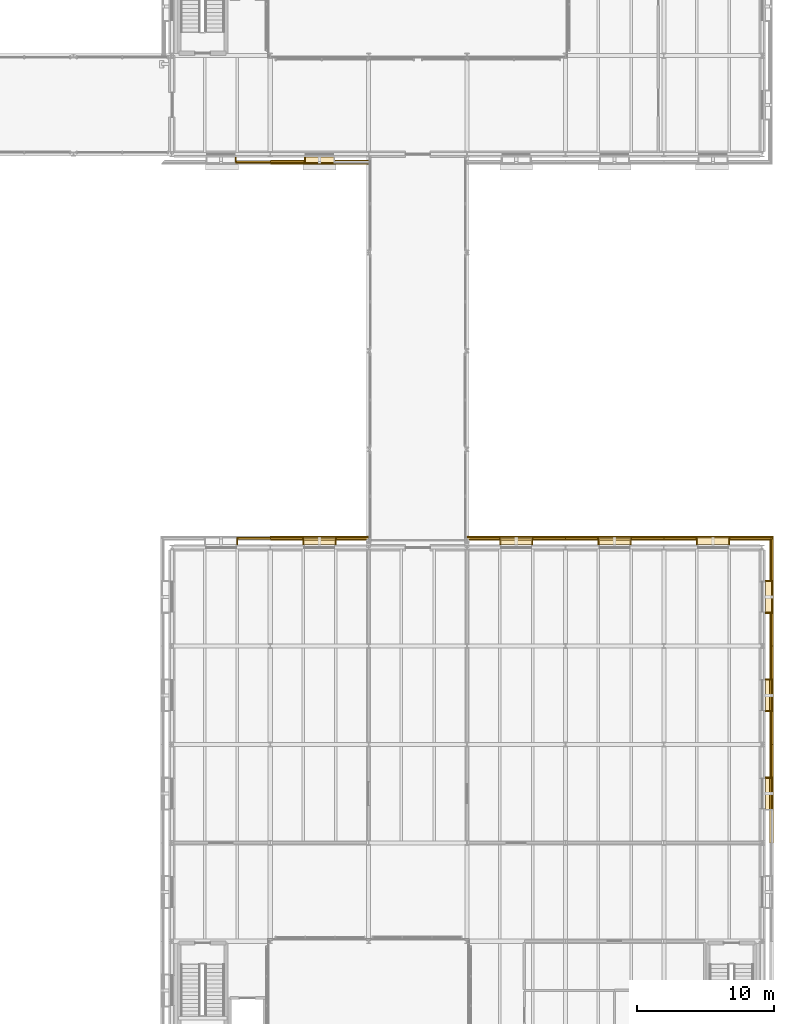
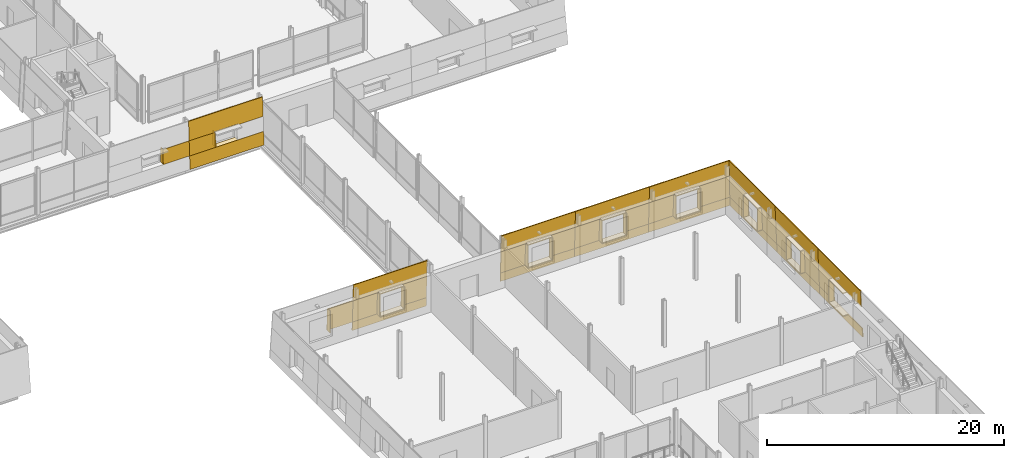
# One storey, part 118 of 121: 64 coverings.
"""IFC4 building model written with IfcOpenShell, lengths in metres."""

import ifcopenshell
import ifcopenshell.guid

model = None  # the IFC model being written
_history = None  # IfcOwnerHistory: only IFC2X3 demands one
_inside = {}  # id of a spatial element -> (the spatial element, [elements in it])
_under = {}  # id of a project, library or spatial element -> (it, [spatial elements below it])
_declared = {}  # id of a project -> (the project, [libraries it declares])
_typed = {}  # id of a type object -> (the type object, [elements of that type])
_made_of = {}  # id of a material, layer set ... -> (it, [elements and type objects made of it])


def new_model(schema):
    """Start an empty IFC model of exactly this schema.

    Asked for "IFC4X3", IfcOpenShell would pick the latest addendum, in which some entities
    have other attributes; the version numbers below select the first issue.
    IFC2X3 requires an IfcOwnerHistory on every rooted entity: one is made here for all.
    """
    global model, _history
    if schema == "IFC4X3":
        model = ifcopenshell.file(schema_version=(4, 3, 0, 0))
    else:
        model = ifcopenshell.file(schema=schema)
    _inside.clear()
    _under.clear()
    _declared.clear()
    _typed.clear()
    _made_of.clear()
    _history = None
    if model.schema == "IFC2X3":
        org = make("IfcOrganization", Name="unknown")
        user = make(
            "IfcPersonAndOrganization",
            ThePerson=make("IfcPerson", FamilyName="unknown"),
            TheOrganization=org,
        )
        app = make(
            "IfcApplication",
            ApplicationDeveloper=org,
            Version="unknown",
            ApplicationFullName="unknown",
            ApplicationIdentifier="unknown",
        )
        _history = make(
            "IfcOwnerHistory",
            OwningUser=user,
            OwningApplication=app,
            ChangeAction="ADDED",
            CreationDate=0,
        )
    return model


def make(cls, **values):
    """One entity of the class cls with the attributes given. An attribute that is None is left unset."""
    return model.create_entity(
        cls, **{name: value for name, value in values.items() if value is not None}
    )


def rooted(cls, **values):
    """An entity with a GlobalId (a new one), such as an element, a storey or a relation."""
    return make(cls, GlobalId=ifcopenshell.guid.new(), OwnerHistory=_history, **values)


def si_unit(unit_type, name, prefix=None):
    """IfcSIUnit, for example si_unit("LENGTHUNIT", "METRE", prefix="MILLI")."""
    return make("IfcSIUnit", UnitType=unit_type, Prefix=prefix, Name=name)


def assignment(units):
    """IfcUnitAssignment: the units of a project."""
    return None if units is None else make("IfcUnitAssignment", Units=units)


def point(xyz):
    """IfcCartesianPoint."""
    return None if xyz is None else make("IfcCartesianPoint", Coordinates=xyz)


def direction(xyz):
    """IfcDirection."""
    return None if xyz is None else make("IfcDirection", DirectionRatios=xyz)


def frame(location, z_axis=None, x_axis=None):
    """IfcAxis2Placement3D, a coordinate frame: its origin and axes. An axis left out is left unset."""
    return make(
        "IfcAxis2Placement3D",
        Location=point(location),
        Axis=direction(z_axis),
        RefDirection=direction(x_axis),
    )


def origin():
    """The frame at (0, 0, 0) with its axes left unset."""
    return frame((0.0, 0.0, 0.0))


def place(relative_to, where):
    """IfcLocalPlacement: puts the frame where relative to a parent placement (None: the world)."""
    return make(
        "IfcLocalPlacement", PlacementRelTo=relative_to, RelativePlacement=where
    )


def context(
    kind, dimensions, precision=None, world=None, true_north=None, identifier=None
):
    """IfcGeometricRepresentationContext, for example the 3D "Model" context."""
    return make(
        "IfcGeometricRepresentationContext",
        ContextIdentifier=identifier,
        ContextType=kind,
        CoordinateSpaceDimension=dimensions,
        Precision=precision,
        WorldCoordinateSystem=world,
        TrueNorth=true_north,
    )


def subcontext(parent, identifier, kind, view, scale=None):
    """IfcGeometricRepresentationSubContext, for example "Body" below "Model"."""
    return make(
        "IfcGeometricRepresentationSubContext",
        ContextIdentifier=identifier,
        ContextType=kind,
        ParentContext=parent,
        TargetScale=scale,
        TargetView=view,
    )


def project(units=None, contexts=None):
    """IfcProject with its units and contexts."""
    return rooted(
        "IfcProject",
        Name="project",
        RepresentationContexts=contexts,
        UnitsInContext=assignment(units),
    )


def spatial(cls, under=None, at=None, **own):
    """A site, building, storey or space (cls), placed at a placement, below another one or the project."""
    s = rooted(cls, ObjectPlacement=at, **own)
    if under is not None:
        _under.setdefault(under.id(), (under, []))[1].append(s)
    return s


def polyline(points):
    """IfcPolyline through the points."""
    return make("IfcPolyline", Points=[point(p) for p in points])


def outline(outer, holes=None, kind="AREA"):
    """IfcArbitraryClosedProfileDef: a profile drawn as a closed curve; with holes, ...WithVoids."""
    if holes is None:
        return make("IfcArbitraryClosedProfileDef", ProfileType=kind, OuterCurve=outer)
    return make(
        "IfcArbitraryProfileDefWithVoids",
        ProfileType=kind,
        OuterCurve=outer,
        InnerCurves=holes,
    )


def extrude(swept, where, along, depth):
    """IfcExtrudedAreaSolid: the profile swept, set in the frame where, extruded along a direction by depth."""
    return make(
        "IfcExtrudedAreaSolid",
        SweptArea=swept,
        Position=where,
        ExtrudedDirection=direction(along),
        Depth=depth,
    )


def shape(context_of_items, identifier, shape_type, items):
    """IfcShapeRepresentation: the items that make up one representation, for example the "Body"."""
    return make(
        "IfcShapeRepresentation",
        ContextOfItems=context_of_items,
        RepresentationIdentifier=identifier,
        RepresentationType=shape_type,
        Items=items,
    )


def material(Name=None, Category=None):
    """IfcMaterial."""
    return make("IfcMaterial", Name=Name, Category=Category)


def layer(
    of_material, thickness, ventilated=None, Name=None, Category=None, Priority=None
):
    """IfcMaterialLayer: one layer of a wall or slab, of a material (None: an air gap)."""
    return make(
        "IfcMaterialLayer",
        Material=of_material,
        LayerThickness=thickness,
        IsVentilated=ventilated,
        Name=Name,
        Category=Category,
        Priority=Priority,
    )


def layer_set(layers, Name=None):
    """IfcMaterialLayerSet."""
    return make("IfcMaterialLayerSet", MaterialLayers=layers, LayerSetName=Name)


def made_of(thing, what):
    """Note that an element or type object is made of a material, layer set ...; save() writes the relation."""
    if what is not None:
        _made_of.setdefault(what.id(), (what, []))[1].append(thing)
    return thing


def type_object(cls, material=None, **own):
    """A type object (cls), such as IfcWallType, which elements share."""
    return made_of(rooted(cls, **own), material)


def element(
    cls,
    number,
    at=None,
    inside=None,
    cuts=None,
    type_object=None,
    material=None,
    context=None,
    identifier="Body",
    shape_type=None,
    held_by="IfcProductDefinitionShape",
    body=None,
    shapes=None,
    **own,
):
    """One element of the class cls, such as IfcWall. Its Tag is "e" and its number.

    at: its placement. inside: the storey or other place that contains it. cuts: it is an
    opening in that element (IfcRelVoidsElement). A single representation is given by context,
    identifier, shape_type and body (its items); several are given by shapes. held_by: the class
    of the entity that holds the representations. save() writes the other relations.
    """
    e = rooted(cls, Tag="e%d" % number, ObjectPlacement=at, **own)
    if body is not None:
        shapes = [shape(context, identifier, shape_type, body)]
    if shapes is not None:
        e.Representation = make(held_by, Representations=shapes)
    if inside is not None:
        _inside.setdefault(inside.id(), (inside, []))[1].append(e)
    if cuts is not None:
        rooted(
            "IfcRelVoidsElement", RelatingBuildingElement=cuts, RelatedOpeningElement=e
        )
    if type_object is not None:
        _typed.setdefault(type_object.id(), (type_object, []))[1].append(e)
    return made_of(e, material)


def aggregate(whole, parts):
    """IfcRelAggregates: a whole, such as a stair, and the parts it consists of."""
    return rooted("IfcRelAggregates", RelatingObject=whole, RelatedObjects=parts)


def save(model, path):
    """Write the relations noted so far, then the file.

    IfcRelAggregates (storeys below a building ...), IfcRelContainedInSpatialStructure (elements
    in a storey), IfcRelDefinesByType, IfcRelAssociatesMaterial and IfcRelDeclares: one each for
    every whole, place, type object, material and project.
    """
    for whole, parts in _under.values():
        aggregate(whole, parts)
    for where, things in _inside.values():
        rooted(
            "IfcRelContainedInSpatialStructure",
            RelatedElements=things,
            RelatingStructure=where,
        )
    for kind, things in _typed.values():
        rooted("IfcRelDefinesByType", RelatedObjects=things, RelatingType=kind)
    for what, things in _made_of.values():
        rooted("IfcRelAssociatesMaterial", RelatedObjects=things, RelatingMaterial=what)
    for by, libraries in _declared.values():
        rooted("IfcRelDeclares", RelatingContext=by, RelatedDefinitions=libraries)
    model.write(path)


model = new_model("IFC4")

# Units and contexts
model_context = context("Model", 3, precision=1e-05, world=origin(), true_north=direction((0.0, 1.0)))
body_context = subcontext(model_context, "Body", "Model", "MODEL_VIEW")
ifc_project = project(units=[si_unit("LENGTHUNIT", "METRE"), si_unit("AREAUNIT", "SQUARE_METRE"), si_unit("VOLUMEUNIT", "CUBIC_METRE"), si_unit("PLANEANGLEUNIT", "RADIAN"), si_unit("MASSUNIT", "GRAM", prefix="KILO")], contexts=[model_context])

# Site, building, storey
site_placement = place(None, origin())
site = spatial("IfcSite", under=ifc_project, at=site_placement, CompositionType="ELEMENT")
building_placement = place(site_placement, origin())
building = spatial("IfcBuilding", under=site, at=building_placement, Name="Narikvali Park Central Library", CompositionType="ELEMENT")
storey_placement = place(building_placement, frame((0.0, 0.0, 5.39990234375)))
storey = spatial("IfcBuildingStorey", under=building, at=storey_placement, Name="L01", CompositionType="ELEMENT", Elevation=5.39990234375)

# Coverings
ifc_material = material(Name="White Honed Limestone Cladding", Category="masonry")
ifc_layer_1 = layer(ifc_material, 0.0849609375, Name="White Honed Limestone Cladding")
ifc_layer_set_1 = layer_set([ifc_layer_1], Name="White Honed Limestone Cladding")
covering_type_1 = type_object("IfcCoveringType", Name="Battered White Limestone Facade Cladding Panel", PredefinedType="CLADDING", material=ifc_layer_set_1)
covering_1_placement = place(storey_placement, frame((127.0400390625, 78.51171875, 1.35009765625), z_axis=(0.0, -0.998637960633, 0.052174932514), x_axis=(1.0, 0.0, 0.0)))
element("IfcCovering", 1, at=covering_1_placement, inside=storey, type_object=covering_type_1, Name="V3 L01 S Battered Limestone Jamb Pier R B01", PredefinedType="CLADDING", context=body_context, shape_type="SweptSolid", body=[
    extrude(outline(polyline([(0.0, 0.0), (2.56005859375, 0.0), (2.56005859375, 1.5020458455727312), (0.0, 1.5020458455727312), (0.0, 0.0)])), origin(), (0.0, 0.0, -1.0), 0.0849609375),
])
covering_2_placement = place(storey_placement, frame((129.60009765625, 78.44140625, 0.0), z_axis=(0.0, -0.998646611858, 0.052009082137), x_axis=(1.0, 0.0, 0.0)))
element("IfcCovering", 2, at=covering_2_placement, inside=storey, type_object=covering_type_1, Name="V3 L01 S Battered Limestone Spandrel B02", PredefinedType="CLADDING", context=body_context, shape_type="SweptSolid", body=[
    extrude(outline(polyline([(0.0, 0.0), (7.199951171875, 0.0), (7.199951171875, 1.3519273386791144), (0.0, 1.3519273386791144), (0.0, 0.0)])), origin(), (0.0, 0.0, -1.0), 0.0849609375),
])
covering_3_placement = place(storey_placement, frame((129.60009765625, 78.590087890625, 2.85009765625), z_axis=(0.0, -0.998646348793, 0.052014133104), x_axis=(1.0, 0.0, 0.0)))
element("IfcCovering", 3, at=covering_3_placement, inside=storey, type_object=covering_type_1, Name="V3 L01 S Battered Limestone Lintel B02", PredefinedType="CLADDING", context=body_context, shape_type="SweptSolid", body=[
    extrude(outline(polyline([(0.0, 0.0), (7.199951171875, 0.0), (7.199951171875, 1.9525943035108282), (0.0, 1.9525943035108282), (0.0, 0.0)])), origin(), (0.0, 0.0, -1.0), 0.0849609375),
])
covering_4_placement = place(storey_placement, frame((129.60009765625, 78.51171875, 1.35009765625), z_axis=(0.0, -0.998637960633, 0.052174932514), x_axis=(1.0, 0.0, 0.0)))
element("IfcCovering", 4, at=covering_4_placement, inside=storey, type_object=covering_type_1, Name="V3 L01 S Battered Limestone Jamb Pier L B02", PredefinedType="CLADDING", context=body_context, shape_type="SweptSolid", body=[
    extrude(outline(polyline([(0.0, 0.0), (2.559814453125, 0.0), (2.559814453125, 1.5020458455727312), (0.0, 1.5020458455727312), (0.0, 0.0)])), origin(), (0.0, 0.0, -1.0), 0.0849609375),
])
covering_5_placement = place(storey_placement, frame((166.4189453125, 28.800048828125, 0.0), z_axis=(0.999162409553, 0.0, 0.040920402453), x_axis=(0.0, 1.0, 0.0)))
element("IfcCovering", 5, at=covering_5_placement, inside=storey, type_object=covering_type_1, Name="V6 L01 E Battered Limestone Spandrel B05", PredefinedType="CLADDING", context=body_context, shape_type="SweptSolid", body=[
    extrude(outline(polyline([(0.0, 0.0), (7.199951171875, 0.0), (7.199951171875, 0.9009010705056333), (0.0, 0.9009010705056333), (0.0, 0.0)])), origin(), (0.0, 0.0, -1.0), 0.0849609375),
])
covering_6_placement = place(storey_placement, frame((166.2900390625, 28.800048828125, 3.150146484375), z_axis=(0.999167069196, 0.0, 0.040806468052), x_axis=(0.0, 1.0, 0.0)))
element("IfcCovering", 6, at=covering_6_placement, inside=storey, type_object=covering_type_1, Name="V6 L01 E Battered Limestone Lintel B05", PredefinedType="CLADDING", context=body_context, shape_type="SweptSolid", body=[
    extrude(outline(polyline([(0.0, 0.0), (7.199951171875, 0.0), (7.199951171875, 1.651277743849336), (0.0, 1.651277743849336), (0.0, 0.0)])), origin(), (0.0, 0.0, -1.0), 0.0849609375),
])
covering_7_placement = place(storey_placement, frame((166.382080078125, 33.5400390625, 0.900146484375), z_axis=(0.999164352475, 0.0, 0.040872934124), x_axis=(0.0, 1.0, 0.0)))
element("IfcCovering", 7, at=covering_7_placement, inside=storey, type_object=covering_type_1, Name="V6 L01 E Battered Limestone Jamb Pier R B05", PredefinedType="CLADDING", context=body_context, shape_type="SweptSolid", body=[
    extrude(outline(polyline([(0.0, 0.0), (2.4599609375, 0.0), (2.4599609375, 2.251881779436319), (0.0, 2.251881779436319), (0.0, 0.0)])), origin(), (0.0, 0.0, -1.0), 0.0849609375),
])
covering_8_placement = place(storey_placement, frame((166.4189453125, 36.0, 0.0), z_axis=(0.999162409553, 0.0, 0.040920402453), x_axis=(0.0, 1.0, 0.0)))
element("IfcCovering", 8, at=covering_8_placement, inside=storey, type_object=covering_type_1, Name="V6 L01 E Battered Limestone Spandrel B06", PredefinedType="CLADDING", context=body_context, shape_type="SweptSolid", body=[
    extrude(outline(polyline([(0.0, 0.0), (7.199951171875, 0.0), (7.199951171875, 0.9009010705056333), (0.0, 0.9009010705056333), (0.0, 0.0)])), origin(), (0.0, 0.0, -1.0), 0.0849609375),
])
covering_9_placement = place(storey_placement, frame((166.2900390625, 36.0, 3.150146484375), z_axis=(0.999167069196, 0.0, 0.040806468052), x_axis=(0.0, 1.0, 0.0)))
element("IfcCovering", 9, at=covering_9_placement, inside=storey, type_object=covering_type_1, Name="V6 L01 E Battered Limestone Lintel B06", PredefinedType="CLADDING", context=body_context, shape_type="SweptSolid", body=[
    extrude(outline(polyline([(0.0, 0.0), (7.199951171875, 0.0), (7.199951171875, 1.651277743849336), (0.0, 1.651277743849336), (0.0, 0.0)])), origin(), (0.0, 0.0, -1.0), 0.0849609375),
])
for number, where, z_axis, x_axis, name in (
    (10, (166.382080078125, 36.0, 0.900146484375), (0.999164352475, 0.0, 0.040872934124), (0.0, 1.0, 0.0), "V6 L01 E Battered Limestone Jamb Pier L B06"),
    (11, (166.382080078125, 40.739990234375, 0.900146484375), (0.999164352475, 0.0, 0.040872934124), (0.0, 1.0, 0.0), "V6 L01 E Battered Limestone Jamb Pier R B06"),
):
    element("IfcCovering", number, at=place(storey_placement, frame(where, z_axis=z_axis, x_axis=x_axis)), inside=storey, type_object=covering_type_1, Name=name, PredefinedType="CLADDING", context=body_context, shape_type="SweptSolid", body=[
        extrude(outline(polyline([(0.0, 0.0), (2.4599609375, 0.0), (2.4599609375, 2.251881779436319), (0.0, 2.251881779436319), (0.0, 0.0)])), origin(), (0.0, 0.0, -1.0), 0.0849609375),
    ])
covering_10_placement = place(storey_placement, frame((166.4189453125, 43.199951171875, 0.0), z_axis=(0.999162409553, 0.0, 0.040920402453), x_axis=(0.0, 1.0, 0.0)))
element("IfcCovering", 12, at=covering_10_placement, inside=storey, type_object=covering_type_1, Name="V6 L01 E Battered Limestone Spandrel B07", PredefinedType="CLADDING", context=body_context, shape_type="SweptSolid", body=[
    extrude(outline(polyline([(0.0, 0.0), (7.93408203125, 0.0), (7.897216796875, 0.9009010705056333), (0.0, 0.9009010705056333), (0.0, 0.0)])), origin(), (0.0, 0.0, -1.0), 0.0849609375),
])
covering_11_placement = place(storey_placement, frame((166.2900390625, 43.199951171875, 3.150146484375), z_axis=(0.999167069196, 0.0, 0.040806468052), x_axis=(0.0, 1.0, 0.0)))
element("IfcCovering", 13, at=covering_11_placement, inside=storey, type_object=covering_type_1, Name="V6 L01 E Battered Limestone Lintel B07", PredefinedType="CLADDING", context=body_context, shape_type="SweptSolid", body=[
    extrude(outline(polyline([(0.0, 0.0), (7.80517578125, 0.0), (7.737548828125, 1.6512777438493358), (0.0, 1.6512777438493358), (0.0, 0.0)])), origin(), (0.0, 0.0, -1.0), 0.0849609375),
])
covering_12_placement = place(storey_placement, frame((166.382080078125, 43.199951171875, 0.900146484375), z_axis=(0.999164352475, 0.0, 0.040872934124), x_axis=(0.0, 1.0, 0.0)))
element("IfcCovering", 14, at=covering_12_placement, inside=storey, type_object=covering_type_1, Name="V6 L01 E Battered Limestone Jamb Pier L B07", PredefinedType="CLADDING", context=body_context, shape_type="SweptSolid", body=[
    extrude(outline(polyline([(0.0, 0.0), (2.4599609375, 0.0), (2.4599609375, 2.251881779436319), (0.0, 2.251881779436319), (0.0, 0.0)])), origin(), (0.0, 0.0, -1.0), 0.0849609375),
])
covering_13_placement = place(storey_placement, frame((166.382080078125, 47.93994140625, 0.900146484375), z_axis=(0.999164352475, 0.0, 0.040872934124), x_axis=(0.0, 1.0, 0.0)))
element("IfcCovering", 15, at=covering_13_placement, inside=storey, type_object=covering_type_1, Name="V6 L01 E Battered Limestone Jamb Pier R B07", PredefinedType="CLADDING", context=body_context, shape_type="SweptSolid", body=[
    extrude(outline(polyline([(0.0, 0.0), (3.1572265625, 0.0), (3.065185546875, 2.2518817794363186), (0.0, 2.2518817794363186), (0.0, 0.0)])), origin(), (0.0, 0.0, -1.0), 0.0849609375),
])
covering_14_placement = place(storey_placement, frame((166.4189453125, 51.218994140625, 0.0), z_axis=(0.0, 0.999162409553, 0.040920402453), x_axis=(-1.0, 0.0, 0.0)))
element("IfcCovering", 16, at=covering_14_placement, inside=storey, type_object=covering_type_1, Name="V6 L01 N Battered Limestone Spandrel B01", PredefinedType="CLADDING", context=body_context, shape_type="SweptSolid", body=[
    extrude(outline(polyline([(0.0, 0.0), (8.01904296875, 0.0), (8.01904296875, 0.9009010705056333), (0.036865234375, 0.9009010705056333), (0.0, 0.0)])), origin(), (0.0, 0.0, -1.0), 0.0849609375),
])
covering_15_placement = place(storey_placement, frame((166.2900390625, 51.090087890625, 3.150146484375), z_axis=(0.0, 0.999167069196, 0.040806468052), x_axis=(-1.0, 0.0, 0.0)))
element("IfcCovering", 17, at=covering_15_placement, inside=storey, type_object=covering_type_1, Name="V6 L01 N Battered Limestone Lintel B01", PredefinedType="CLADDING", context=body_context, shape_type="SweptSolid", body=[
    extrude(outline(polyline([(0.0, 0.0), (7.89013671875, 0.0), (7.89013671875, 1.651277743849336), (0.0673828125, 1.651277743849336), (0.0, 0.0)])), origin(), (0.0, 0.0, -1.0), 0.0849609375),
])
covering_16_placement = place(storey_placement, frame((166.382080078125, 51.18212890625, 0.900146484375), z_axis=(0.0, 0.999164352475, 0.040872934124), x_axis=(-1.0, 0.0, 0.0)))
element("IfcCovering", 18, at=covering_16_placement, inside=storey, type_object=covering_type_1, Name="V6 L01 N Battered Limestone Jamb Pier L B01", PredefinedType="CLADDING", context=body_context, shape_type="SweptSolid", body=[
    extrude(outline(polyline([(0.0, 0.0), (3.2421875, 0.0), (3.2421875, 2.2518817794363186), (0.092041015625, 2.2518817794363186), (0.0, 0.0)])), origin(), (0.0, 0.0, -1.0), 0.0849609375),
])
covering_17_placement = place(storey_placement, frame((160.860107421875, 51.18212890625, 0.900146484375), z_axis=(0.0, 0.999164352475, 0.040872934124), x_axis=(-1.0, 0.0, 0.0)))
element("IfcCovering", 19, at=covering_17_placement, inside=storey, type_object=covering_type_1, Name="V6 L01 N Battered Limestone Jamb Pier R B01", PredefinedType="CLADDING", context=body_context, shape_type="SweptSolid", body=[
    extrude(outline(polyline([(0.0, 0.0), (2.460205078125, 0.0), (2.460205078125, 2.2518817794363186), (0.0, 2.2518817794363186), (0.0, 0.0)])), origin(), (0.0, 0.0, -1.0), 0.0849609375),
])
covering_18_placement = place(storey_placement, frame((158.39990234375, 51.218994140625, 0.0), z_axis=(0.0, 0.999162409553, 0.040920402453), x_axis=(-1.0, 0.0, 0.0)))
element("IfcCovering", 20, at=covering_18_placement, inside=storey, type_object=covering_type_1, Name="V6 L01 N Battered Limestone Spandrel B02", PredefinedType="CLADDING", context=body_context, shape_type="SweptSolid", body=[
    extrude(outline(polyline([(0.0, 0.0), (7.199951171875, 0.0), (7.199951171875, 0.9009010705056333), (0.0, 0.9009010705056333), (0.0, 0.0)])), origin(), (0.0, 0.0, -1.0), 0.0849609375),
])
covering_19_placement = place(storey_placement, frame((158.39990234375, 51.090087890625, 3.150146484375), z_axis=(0.0, 0.999167069196, 0.040806468052), x_axis=(-1.0, 0.0, 0.0)))
element("IfcCovering", 21, at=covering_19_placement, inside=storey, type_object=covering_type_1, Name="V6 L01 N Battered Limestone Lintel B02", PredefinedType="CLADDING", context=body_context, shape_type="SweptSolid", body=[
    extrude(outline(polyline([(0.0, 0.0), (7.199951171875, 0.0), (7.199951171875, 1.651277743849336), (0.0, 1.651277743849336), (0.0, 0.0)])), origin(), (0.0, 0.0, -1.0), 0.0849609375),
])
for number, where, z_axis, x_axis, name in (
    (22, (158.39990234375, 51.18212890625, 0.900146484375), (0.0, 0.999164352475, 0.040872934124), (-1.0, 0.0, 0.0), "V6 L01 N Battered Limestone Jamb Pier L B02"),
    (23, (153.659912109375, 51.18212890625, 0.900146484375), (0.0, 0.999164352475, 0.040872934124), (-1.0, 0.0, 0.0), "V6 L01 N Battered Limestone Jamb Pier R B02"),
):
    element("IfcCovering", number, at=place(storey_placement, frame(where, z_axis=z_axis, x_axis=x_axis)), inside=storey, type_object=covering_type_1, Name=name, PredefinedType="CLADDING", context=body_context, shape_type="SweptSolid", body=[
        extrude(outline(polyline([(0.0, 0.0), (2.4599609375, 0.0), (2.4599609375, 2.251881779436319), (0.0, 2.251881779436319), (0.0, 0.0)])), origin(), (0.0, 0.0, -1.0), 0.0849609375),
    ])
covering_20_placement = place(storey_placement, frame((151.199951171875, 51.218994140625, 0.0), z_axis=(0.0, 0.999162409553, 0.040920402453), x_axis=(-1.0, 0.0, 0.0)))
element("IfcCovering", 24, at=covering_20_placement, inside=storey, type_object=covering_type_1, Name="V6 L01 N Battered Limestone Spandrel B03", PredefinedType="CLADDING", context=body_context, shape_type="SweptSolid", body=[
    extrude(outline(polyline([(0.0, 0.0), (7.199951171875, 0.0), (7.199951171875, 0.9009010705056333), (0.0, 0.9009010705056333), (0.0, 0.0)])), origin(), (0.0, 0.0, -1.0), 0.0849609375),
])
covering_21_placement = place(storey_placement, frame((151.199951171875, 51.090087890625, 3.150146484375), z_axis=(0.0, 0.999167069196, 0.040806468052), x_axis=(-1.0, 0.0, 0.0)))
element("IfcCovering", 25, at=covering_21_placement, inside=storey, type_object=covering_type_1, Name="V6 L01 N Battered Limestone Lintel B03", PredefinedType="CLADDING", context=body_context, shape_type="SweptSolid", body=[
    extrude(outline(polyline([(0.0, 0.0), (7.199951171875, 0.0), (7.199951171875, 1.651277743849336), (0.0, 1.651277743849336), (0.0, 0.0)])), origin(), (0.0, 0.0, -1.0), 0.0849609375),
])
for number, where, z_axis, x_axis, name in (
    (26, (151.199951171875, 51.18212890625, 0.900146484375), (0.0, 0.999164352475, 0.040872934124), (-1.0, 0.0, 0.0), "V6 L01 N Battered Limestone Jamb Pier L B03"),
    (27, (146.4599609375, 51.18212890625, 0.900146484375), (0.0, 0.999164352475, 0.040872934124), (-1.0, 0.0, 0.0), "V6 L01 N Battered Limestone Jamb Pier R B03"),
):
    element("IfcCovering", number, at=place(storey_placement, frame(where, z_axis=z_axis, x_axis=x_axis)), inside=storey, type_object=covering_type_1, Name=name, PredefinedType="CLADDING", context=body_context, shape_type="SweptSolid", body=[
        extrude(outline(polyline([(0.0, 0.0), (2.4599609375, 0.0), (2.4599609375, 2.251881779436319), (0.0, 2.251881779436319), (0.0, 0.0)])), origin(), (0.0, 0.0, -1.0), 0.0849609375),
    ])
covering_22_placement = place(storey_placement, frame((136.800048828125, 51.218994140625, 0.0), z_axis=(0.0, 0.999162409553, 0.040920402453), x_axis=(-1.0, 0.0, 0.0)))
element("IfcCovering", 28, at=covering_22_placement, inside=storey, type_object=covering_type_1, Name="V6 L01 N Battered Limestone Spandrel B05", PredefinedType="CLADDING", context=body_context, shape_type="SweptSolid", body=[
    extrude(outline(polyline([(0.0, 0.0), (7.199951171875, 0.0), (7.199951171875, 0.9009010705056333), (0.0, 0.9009010705056333), (0.0, 0.0)])), origin(), (0.0, 0.0, -1.0), 0.0849609375),
])
covering_23_placement = place(storey_placement, frame((136.800048828125, 51.090087890625, 3.150146484375), z_axis=(0.0, 0.999167069196, 0.040806468052), x_axis=(-1.0, 0.0, 0.0)))
element("IfcCovering", 29, at=covering_23_placement, inside=storey, type_object=covering_type_1, Name="V6 L01 N Battered Limestone Lintel B05", PredefinedType="CLADDING", context=body_context, shape_type="SweptSolid", body=[
    extrude(outline(polyline([(0.0, 0.0), (7.199951171875, 0.0), (7.199951171875, 1.651277743849336), (0.0, 1.651277743849336), (0.0, 0.0)])), origin(), (0.0, 0.0, -1.0), 0.0849609375),
])
for number, where, z_axis, x_axis, name in (
    (30, (136.800048828125, 51.18212890625, 0.900146484375), (0.0, 0.999164352475, 0.040872934124), (-1.0, 0.0, 0.0), "V6 L01 N Battered Limestone Jamb Pier L B05"),
    (31, (132.06005859375, 51.18212890625, 0.900146484375), (0.0, 0.999164352475, 0.040872934124), (-1.0, 0.0, 0.0), "V6 L01 N Battered Limestone Jamb Pier R B05"),
):
    element("IfcCovering", number, at=place(storey_placement, frame(where, z_axis=z_axis, x_axis=x_axis)), inside=storey, type_object=covering_type_1, Name=name, PredefinedType="CLADDING", context=body_context, shape_type="SweptSolid", body=[
        extrude(outline(polyline([(0.0, 0.0), (2.4599609375, 0.0), (2.4599609375, 2.251881779436319), (0.0, 2.251881779436319), (0.0, 0.0)])), origin(), (0.0, 0.0, -1.0), 0.0849609375),
    ])
covering_24_placement = place(storey_placement, frame((129.60009765625, 51.18212890625, 0.900146484375), z_axis=(0.0, 0.999164352475, 0.040872934124), x_axis=(-1.0, 0.0, 0.0)))
element("IfcCovering", 32, at=covering_24_placement, inside=storey, type_object=covering_type_1, Name="V6 L01 N Battered Limestone Jamb Pier L B06", PredefinedType="CLADDING", context=body_context, shape_type="SweptSolid", body=[
    extrude(outline(polyline([(0.0, 0.0), (2.460205078125, 0.0), (2.460205078125, 2.2518817794363186), (0.0, 2.2518817794363186), (0.0, 0.0)])), origin(), (0.0, 0.0, -1.0), 0.0849609375),
])
ifc_layer_2 = layer(ifc_material, 0.080078125, Name="White Honed Limestone Cladding")
ifc_layer_set_2 = layer_set([ifc_layer_2], Name="White Honed Limestone Cladding")
covering_type_2 = type_object("IfcCoveringType", Name="Deep Carved White Limestone Window Reveal", PredefinedType="CLADDING", material=ifc_layer_set_2)
covering_25_placement = place(storey_placement, frame((0.0, 0.0, 1.35009765625)))
element("IfcCovering", 33, at=covering_25_placement, inside=storey, type_object=covering_type_2, Name="Deep Stone Reveal Jamb R V3-RVL-L01-S-B01", PredefinedType="CLADDING", context=body_context, shape_type="SweptSolid", body=[
    extrude(outline(polyline([(127.0400390625, 78.97509765625), (127.1201171875, 78.97509765625), (127.1201171875, 78.590087890625), (127.0400390625, 78.590087890625), (127.0400390625, 78.97509765625)])), origin(), (0.0, 0.0, 1.0), 1.5),
])
covering_26_placement = place(storey_placement, frame((0.0, 0.0, 2.85009765625)))
element("IfcCovering", 34, at=covering_26_placement, inside=storey, type_object=covering_type_2, Name="Deep Stone Reveal Head V3-RVL-L01-S-B02", PredefinedType="CLADDING", context=body_context, shape_type="SweptSolid", body=[
    extrude(outline(polyline([(132.1201171875, 78.97509765625), (134.280029296875, 78.97509765625), (134.280029296875, 78.590087890625), (132.1201171875, 78.590087890625), (132.1201171875, 78.97509765625)])), origin(), (0.0, 0.0, 1.0), 0.080078125),
])
covering_27_placement = place(storey_placement, frame((0.0, 0.0, 1.27001953125)))
element("IfcCovering", 35, at=covering_27_placement, inside=storey, type_object=covering_type_2, Name="Deep Stone Reveal Sill V3-RVL-L01-S-B02", PredefinedType="CLADDING", context=body_context, shape_type="SweptSolid", body=[
    extrude(outline(polyline([(132.1201171875, 78.97509765625), (134.280029296875, 78.97509765625), (134.280029296875, 78.51171875), (132.1201171875, 78.51171875), (132.1201171875, 78.97509765625)])), origin(), (0.0, 0.0, 1.0), 0.080078125),
])
covering_28_placement = place(storey_placement, frame((0.0, 0.0, 1.35009765625)))
element("IfcCovering", 36, at=covering_28_placement, inside=storey, type_object=covering_type_2, Name="Deep Stone Reveal Jamb L V3-RVL-L01-S-B02", PredefinedType="CLADDING", context=body_context, shape_type="SweptSolid", body=[
    extrude(outline(polyline([(132.080078125, 78.97509765625), (132.159912109375, 78.97509765625), (132.159912109375, 78.590087890625), (132.080078125, 78.590087890625), (132.080078125, 78.97509765625)])), origin(), (0.0, 0.0, 1.0), 1.5),
])
covering_29_placement = place(storey_placement, frame((0.0, 0.0, 3.150146484375)))
element("IfcCovering", 37, at=covering_29_placement, inside=storey, type_object=covering_type_2, Name="Deep Stone Reveal Head V6-RVL-L01-E-B05", PredefinedType="CLADDING", context=body_context, shape_type="SweptSolid", body=[
    extrude(outline(polyline([(165.824951171875, 31.219970703125), (165.824951171875, 33.580078125), (166.2900390625, 33.580078125), (166.2900390625, 31.219970703125), (165.824951171875, 31.219970703125)])), origin(), (0.0, 0.0, 1.0), 0.079833984375),
])
covering_30_placement = place(storey_placement, frame((0.0, 0.0, 0.820068359375)))
element("IfcCovering", 38, at=covering_30_placement, inside=storey, type_object=covering_type_2, Name="Deep Stone Reveal Sill V6-RVL-L01-E-B05", PredefinedType="CLADDING", context=body_context, shape_type="SweptSolid", body=[
    extrude(outline(polyline([(165.824951171875, 31.219970703125), (165.824951171875, 33.580078125), (166.382080078125, 33.580078125), (166.382080078125, 31.219970703125), (165.824951171875, 31.219970703125)])), origin(), (0.0, 0.0, 1.0), 0.080078125),
])
covering_31_placement = place(storey_placement, frame((0.0, 0.0, 0.900146484375)))
element("IfcCovering", 39, at=covering_31_placement, inside=storey, type_object=covering_type_2, Name="Deep Stone Reveal Jamb R V6-RVL-L01-E-B05", PredefinedType="CLADDING", context=body_context, shape_type="SweptSolid", body=[
    extrude(outline(polyline([(165.824951171875, 33.5400390625), (165.824951171875, 33.6201171875), (166.2900390625, 33.6201171875), (166.2900390625, 33.5400390625), (165.824951171875, 33.5400390625)])), origin(), (0.0, 0.0, 1.0), 2.25),
])
covering_32_placement = place(storey_placement, frame((0.0, 0.0, 3.150146484375)))
element("IfcCovering", 40, at=covering_32_placement, inside=storey, type_object=covering_type_2, Name="Deep Stone Reveal Head V6-RVL-L01-E-B06", PredefinedType="CLADDING", context=body_context, shape_type="SweptSolid", body=[
    extrude(outline(polyline([(165.824951171875, 38.419921875), (165.824951171875, 40.780029296875), (166.2900390625, 40.780029296875), (166.2900390625, 38.419921875), (165.824951171875, 38.419921875)])), origin(), (0.0, 0.0, 1.0), 0.079833984375),
])
covering_33_placement = place(storey_placement, frame((0.0, 0.0, 0.820068359375)))
element("IfcCovering", 41, at=covering_33_placement, inside=storey, type_object=covering_type_2, Name="Deep Stone Reveal Sill V6-RVL-L01-E-B06", PredefinedType="CLADDING", context=body_context, shape_type="SweptSolid", body=[
    extrude(outline(polyline([(165.824951171875, 38.419921875), (165.824951171875, 40.780029296875), (166.382080078125, 40.780029296875), (166.382080078125, 38.419921875), (165.824951171875, 38.419921875)])), origin(), (0.0, 0.0, 1.0), 0.080078125),
])
covering_34_placement = place(storey_placement, frame((0.0, 0.0, 0.900146484375)))
element("IfcCovering", 42, at=covering_34_placement, inside=storey, type_object=covering_type_2, Name="Deep Stone Reveal Jamb L V6-RVL-L01-E-B06", PredefinedType="CLADDING", context=body_context, shape_type="SweptSolid", body=[
    extrude(outline(polyline([(165.824951171875, 38.3798828125), (165.824951171875, 38.4599609375), (166.2900390625, 38.4599609375), (166.2900390625, 38.3798828125), (165.824951171875, 38.3798828125)])), origin(), (0.0, 0.0, 1.0), 2.25),
])
covering_35_placement = place(storey_placement, frame((0.0, 0.0, 0.900146484375)))
element("IfcCovering", 43, at=covering_35_placement, inside=storey, type_object=covering_type_2, Name="Deep Stone Reveal Jamb R V6-RVL-L01-E-B06", PredefinedType="CLADDING", context=body_context, shape_type="SweptSolid", body=[
    extrude(outline(polyline([(165.824951171875, 40.739990234375), (165.824951171875, 40.820068359375), (166.2900390625, 40.820068359375), (166.2900390625, 40.739990234375), (165.824951171875, 40.739990234375)])), origin(), (0.0, 0.0, 1.0), 2.25),
])
covering_36_placement = place(storey_placement, frame((0.0, 0.0, 3.150146484375)))
element("IfcCovering", 44, at=covering_36_placement, inside=storey, type_object=covering_type_2, Name="Deep Stone Reveal Head V6-RVL-L01-E-B07", PredefinedType="CLADDING", context=body_context, shape_type="SweptSolid", body=[
    extrude(outline(polyline([(165.824951171875, 45.6201171875), (165.824951171875, 47.97998046875), (166.2900390625, 47.97998046875), (166.2900390625, 45.6201171875), (165.824951171875, 45.6201171875)])), origin(), (0.0, 0.0, 1.0), 0.079833984375),
])
covering_37_placement = place(storey_placement, frame((0.0, 0.0, 0.820068359375)))
element("IfcCovering", 45, at=covering_37_placement, inside=storey, type_object=covering_type_2, Name="Deep Stone Reveal Sill V6-RVL-L01-E-B07", PredefinedType="CLADDING", context=body_context, shape_type="SweptSolid", body=[
    extrude(outline(polyline([(165.824951171875, 45.6201171875), (165.824951171875, 47.97998046875), (166.382080078125, 47.97998046875), (166.382080078125, 45.6201171875), (165.824951171875, 45.6201171875)])), origin(), (0.0, 0.0, 1.0), 0.080078125),
])
covering_38_placement = place(storey_placement, frame((0.0, 0.0, 0.900146484375)))
element("IfcCovering", 46, at=covering_38_placement, inside=storey, type_object=covering_type_2, Name="Deep Stone Reveal Jamb L V6-RVL-L01-E-B07", PredefinedType="CLADDING", context=body_context, shape_type="SweptSolid", body=[
    extrude(outline(polyline([(165.824951171875, 45.580078125), (165.824951171875, 45.659912109375), (166.2900390625, 45.659912109375), (166.2900390625, 45.580078125), (165.824951171875, 45.580078125)])), origin(), (0.0, 0.0, 1.0), 2.25),
])
covering_39_placement = place(storey_placement, frame((0.0, 0.0, 0.900146484375)))
element("IfcCovering", 47, at=covering_39_placement, inside=storey, type_object=covering_type_2, Name="Deep Stone Reveal Jamb R V6-RVL-L01-E-B07", PredefinedType="CLADDING", context=body_context, shape_type="SweptSolid", body=[
    extrude(outline(polyline([(165.824951171875, 47.93994140625), (165.824951171875, 48.02001953125), (166.2900390625, 48.02001953125), (166.2900390625, 47.93994140625), (165.824951171875, 47.93994140625)])), origin(), (0.0, 0.0, 1.0), 2.25),
])
covering_40_placement = place(storey_placement, frame((0.0, 0.0, 3.150146484375)))
element("IfcCovering", 48, at=covering_40_placement, inside=storey, type_object=covering_type_2, Name="Deep Stone Reveal Head V6-RVL-L01-N-B01", PredefinedType="CLADDING", context=body_context, shape_type="SweptSolid", body=[
    extrude(outline(polyline([(163.179931640625, 50.625), (160.820068359375, 50.625), (160.820068359375, 51.090087890625), (163.179931640625, 51.090087890625), (163.179931640625, 50.625)])), origin(), (0.0, 0.0, 1.0), 0.079833984375),
])
covering_41_placement = place(storey_placement, frame((0.0, 0.0, 0.820068359375)))
element("IfcCovering", 49, at=covering_41_placement, inside=storey, type_object=covering_type_2, Name="Deep Stone Reveal Sill V6-RVL-L01-N-B01", PredefinedType="CLADDING", context=body_context, shape_type="SweptSolid", body=[
    extrude(outline(polyline([(163.179931640625, 50.625), (160.820068359375, 50.625), (160.820068359375, 51.18212890625), (163.179931640625, 51.18212890625), (163.179931640625, 50.625)])), origin(), (0.0, 0.0, 1.0), 0.080078125),
])
covering_42_placement = place(storey_placement, frame((0.0, 0.0, 0.900146484375)))
element("IfcCovering", 50, at=covering_42_placement, inside=storey, type_object=covering_type_2, Name="Deep Stone Reveal Jamb L V6-RVL-L01-N-B01", PredefinedType="CLADDING", context=body_context, shape_type="SweptSolid", body=[
    extrude(outline(polyline([(163.219970703125, 50.625), (163.139892578125, 50.625), (163.139892578125, 51.090087890625), (163.219970703125, 51.090087890625), (163.219970703125, 50.625)])), origin(), (0.0, 0.0, 1.0), 2.25),
])
covering_43_placement = place(storey_placement, frame((0.0, 0.0, 0.900146484375)))
element("IfcCovering", 51, at=covering_43_placement, inside=storey, type_object=covering_type_2, Name="Deep Stone Reveal Jamb R V6-RVL-L01-N-B01", PredefinedType="CLADDING", context=body_context, shape_type="SweptSolid", body=[
    extrude(outline(polyline([(160.860107421875, 50.625), (160.780029296875, 50.625), (160.780029296875, 51.090087890625), (160.860107421875, 51.090087890625), (160.860107421875, 50.625)])), origin(), (0.0, 0.0, 1.0), 2.25),
])
covering_44_placement = place(storey_placement, frame((0.0, 0.0, 3.150146484375)))
element("IfcCovering", 52, at=covering_44_placement, inside=storey, type_object=covering_type_2, Name="Deep Stone Reveal Head V6-RVL-L01-N-B02", PredefinedType="CLADDING", context=body_context, shape_type="SweptSolid", body=[
    extrude(outline(polyline([(155.97998046875, 50.625), (153.6201171875, 50.625), (153.6201171875, 51.090087890625), (155.97998046875, 51.090087890625), (155.97998046875, 50.625)])), origin(), (0.0, 0.0, 1.0), 0.079833984375),
])
covering_45_placement = place(storey_placement, frame((0.0, 0.0, 0.820068359375)))
element("IfcCovering", 53, at=covering_45_placement, inside=storey, type_object=covering_type_2, Name="Deep Stone Reveal Sill V6-RVL-L01-N-B02", PredefinedType="CLADDING", context=body_context, shape_type="SweptSolid", body=[
    extrude(outline(polyline([(155.97998046875, 50.625), (153.6201171875, 50.625), (153.6201171875, 51.18212890625), (155.97998046875, 51.18212890625), (155.97998046875, 50.625)])), origin(), (0.0, 0.0, 1.0), 0.080078125),
])
covering_46_placement = place(storey_placement, frame((0.0, 0.0, 0.900146484375)))
element("IfcCovering", 54, at=covering_46_placement, inside=storey, type_object=covering_type_2, Name="Deep Stone Reveal Jamb L V6-RVL-L01-N-B02", PredefinedType="CLADDING", context=body_context, shape_type="SweptSolid", body=[
    extrude(outline(polyline([(156.02001953125, 50.625), (155.93994140625, 50.625), (155.93994140625, 51.090087890625), (156.02001953125, 51.090087890625), (156.02001953125, 50.625)])), origin(), (0.0, 0.0, 1.0), 2.25),
])
covering_47_placement = place(storey_placement, frame((0.0, 0.0, 0.900146484375)))
element("IfcCovering", 55, at=covering_47_placement, inside=storey, type_object=covering_type_2, Name="Deep Stone Reveal Jamb R V6-RVL-L01-N-B02", PredefinedType="CLADDING", context=body_context, shape_type="SweptSolid", body=[
    extrude(outline(polyline([(153.659912109375, 50.625), (153.580078125, 50.625), (153.580078125, 51.090087890625), (153.659912109375, 51.090087890625), (153.659912109375, 50.625)])), origin(), (0.0, 0.0, 1.0), 2.25),
])
covering_48_placement = place(storey_placement, frame((0.0, 0.0, 3.150146484375)))
element("IfcCovering", 56, at=covering_48_placement, inside=storey, type_object=covering_type_2, Name="Deep Stone Reveal Head V6-RVL-L01-N-B03", PredefinedType="CLADDING", context=body_context, shape_type="SweptSolid", body=[
    extrude(outline(polyline([(148.780029296875, 50.625), (146.419921875, 50.625), (146.419921875, 51.090087890625), (148.780029296875, 51.090087890625), (148.780029296875, 50.625)])), origin(), (0.0, 0.0, 1.0), 0.079833984375),
])
covering_49_placement = place(storey_placement, frame((0.0, 0.0, 0.820068359375)))
element("IfcCovering", 57, at=covering_49_placement, inside=storey, type_object=covering_type_2, Name="Deep Stone Reveal Sill V6-RVL-L01-N-B03", PredefinedType="CLADDING", context=body_context, shape_type="SweptSolid", body=[
    extrude(outline(polyline([(148.780029296875, 50.625), (146.419921875, 50.625), (146.419921875, 51.18212890625), (148.780029296875, 51.18212890625), (148.780029296875, 50.625)])), origin(), (0.0, 0.0, 1.0), 0.080078125),
])
covering_50_placement = place(storey_placement, frame((0.0, 0.0, 0.900146484375)))
element("IfcCovering", 58, at=covering_50_placement, inside=storey, type_object=covering_type_2, Name="Deep Stone Reveal Jamb L V6-RVL-L01-N-B03", PredefinedType="CLADDING", context=body_context, shape_type="SweptSolid", body=[
    extrude(outline(polyline([(148.820068359375, 50.625), (148.739990234375, 50.625), (148.739990234375, 51.090087890625), (148.820068359375, 51.090087890625), (148.820068359375, 50.625)])), origin(), (0.0, 0.0, 1.0), 2.25),
])
covering_51_placement = place(storey_placement, frame((0.0, 0.0, 0.900146484375)))
element("IfcCovering", 59, at=covering_51_placement, inside=storey, type_object=covering_type_2, Name="Deep Stone Reveal Jamb R V6-RVL-L01-N-B03", PredefinedType="CLADDING", context=body_context, shape_type="SweptSolid", body=[
    extrude(outline(polyline([(146.4599609375, 50.625), (146.3798828125, 50.625), (146.3798828125, 51.090087890625), (146.4599609375, 51.090087890625), (146.4599609375, 50.625)])), origin(), (0.0, 0.0, 1.0), 2.25),
])
covering_52_placement = place(storey_placement, frame((0.0, 0.0, 3.150146484375)))
element("IfcCovering", 60, at=covering_52_placement, inside=storey, type_object=covering_type_2, Name="Deep Stone Reveal Head V6-RVL-L01-N-B05", PredefinedType="CLADDING", context=body_context, shape_type="SweptSolid", body=[
    extrude(outline(polyline([(134.3798828125, 50.625), (132.02001953125, 50.625), (132.02001953125, 51.090087890625), (134.3798828125, 51.090087890625), (134.3798828125, 50.625)])), origin(), (0.0, 0.0, 1.0), 0.079833984375),
])
covering_53_placement = place(storey_placement, frame((0.0, 0.0, 0.820068359375)))
element("IfcCovering", 61, at=covering_53_placement, inside=storey, type_object=covering_type_2, Name="Deep Stone Reveal Sill V6-RVL-L01-N-B05", PredefinedType="CLADDING", context=body_context, shape_type="SweptSolid", body=[
    extrude(outline(polyline([(134.3798828125, 50.625), (132.02001953125, 50.625), (132.02001953125, 51.18212890625), (134.3798828125, 51.18212890625), (134.3798828125, 50.625)])), origin(), (0.0, 0.0, 1.0), 0.080078125),
])
covering_54_placement = place(storey_placement, frame((0.0, 0.0, 0.900146484375)))
element("IfcCovering", 62, at=covering_54_placement, inside=storey, type_object=covering_type_2, Name="Deep Stone Reveal Jamb L V6-RVL-L01-N-B05", PredefinedType="CLADDING", context=body_context, shape_type="SweptSolid", body=[
    extrude(outline(polyline([(134.419921875, 50.625), (134.340087890625, 50.625), (134.340087890625, 51.090087890625), (134.419921875, 51.090087890625), (134.419921875, 50.625)])), origin(), (0.0, 0.0, 1.0), 2.25),
])
covering_55_placement = place(storey_placement, frame((0.0, 0.0, 0.900146484375)))
element("IfcCovering", 63, at=covering_55_placement, inside=storey, type_object=covering_type_2, Name="Deep Stone Reveal Jamb R V6-RVL-L01-N-B05", PredefinedType="CLADDING", context=body_context, shape_type="SweptSolid", body=[
    extrude(outline(polyline([(132.06005859375, 50.625), (131.97998046875, 50.625), (131.97998046875, 51.090087890625), (132.06005859375, 51.090087890625), (132.06005859375, 50.625)])), origin(), (0.0, 0.0, 1.0), 2.25),
])
covering_56_placement = place(storey_placement, frame((0.0, 0.0, 0.900146484375)))
element("IfcCovering", 64, at=covering_56_placement, inside=storey, type_object=covering_type_2, Name="Deep Stone Reveal Jamb L V6-RVL-L01-N-B06", PredefinedType="CLADDING", context=body_context, shape_type="SweptSolid", body=[
    extrude(outline(polyline([(127.219970703125, 50.625), (127.139892578125, 50.625), (127.139892578125, 51.090087890625), (127.219970703125, 51.090087890625), (127.219970703125, 50.625)])), origin(), (0.0, 0.0, 1.0), 2.25),
])

save(model, "model.ifc")
